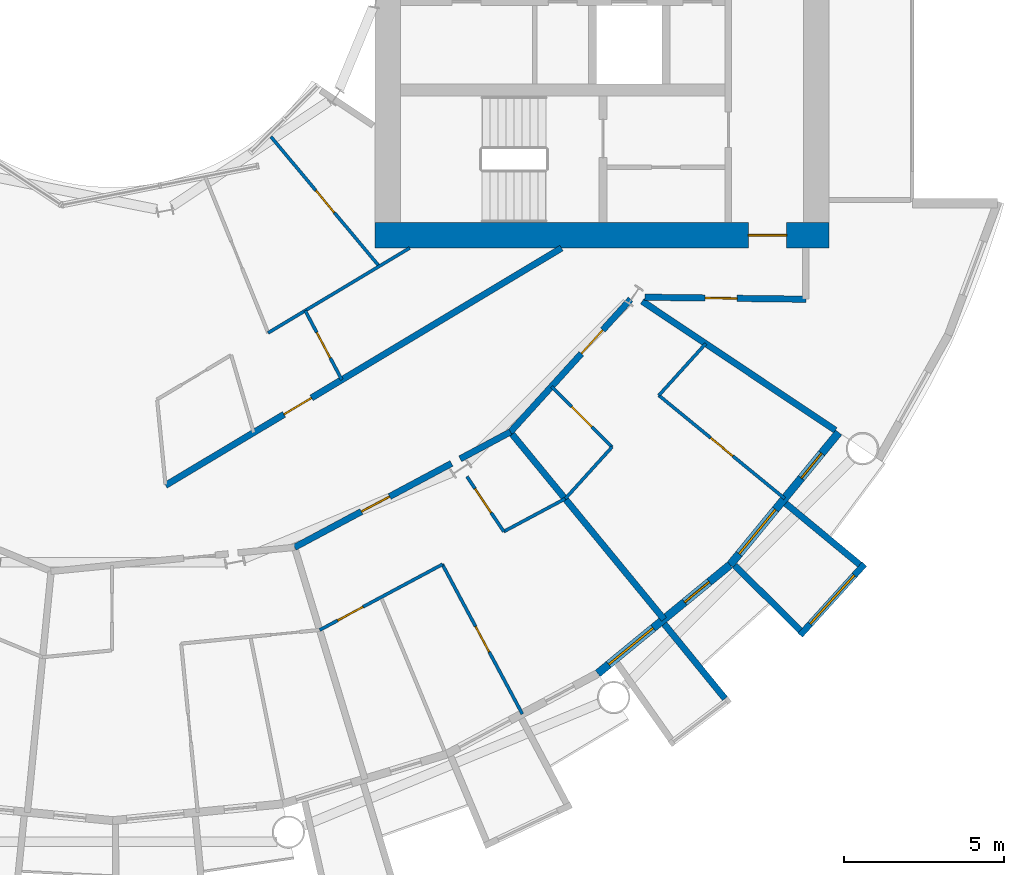
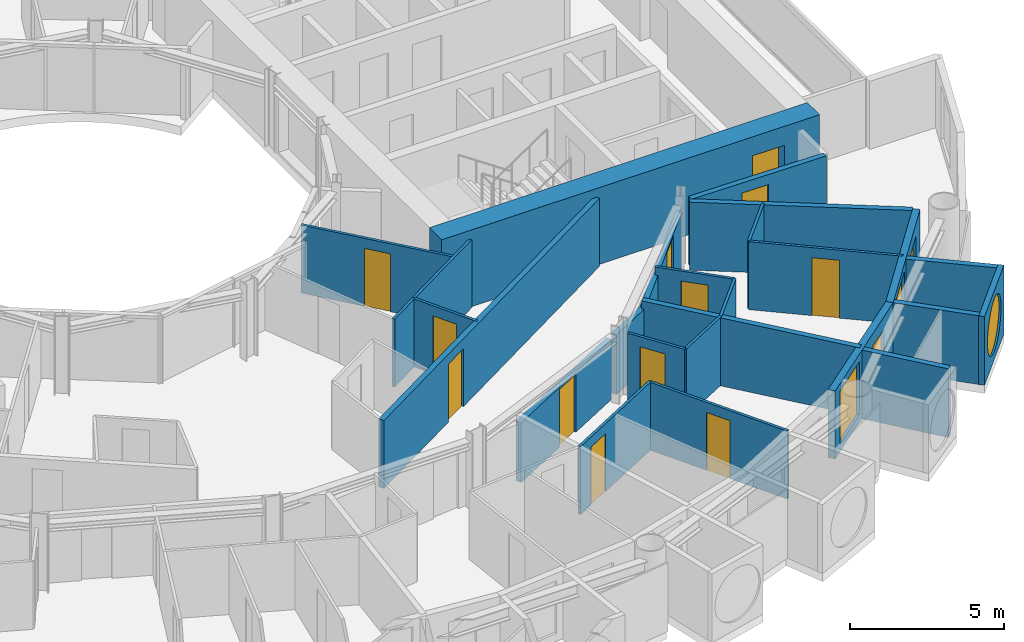
# One storey, part 16 of 26: 25 walls, 14 doors, 3 windows, 17 openings.
"""IFC4 building model written with IfcOpenShell, lengths in metres."""

from ifc_helpers import new_model, si_unit, direction, frame, frame_2d, origin, place, context, subcontext, project, spatial, rectangle, circle, extrude, material, layer, layer_set, type_object, element, fill, save


model = new_model("IFC4")

# Units and contexts
model_context = context("Model", 3, precision=1e-05, world=origin(), true_north=direction((0.0, 1.0)))
body_context = subcontext(model_context, "Body", "Model", "MODEL_VIEW")
ifc_project = project(units=[si_unit("LENGTHUNIT", "METRE"), si_unit("AREAUNIT", "SQUARE_METRE"), si_unit("VOLUMEUNIT", "CUBIC_METRE"), si_unit("PLANEANGLEUNIT", "RADIAN"), si_unit("MASSUNIT", "GRAM", prefix="KILO")], contexts=[model_context])

# Site, building, storey
site_placement = place(None, origin())
site = spatial("IfcSite", under=ifc_project, at=site_placement, CompositionType="ELEMENT")
building_placement = place(site_placement, origin())
building = spatial("IfcBuilding", under=site, at=building_placement, Name="Maasbend Ring Residences", CompositionType="ELEMENT")
storey_placement = place(building_placement, frame((0.0, 0.0, 47.199951171875)))
storey = spatial("IfcBuildingStorey", under=building, at=storey_placement, Name="L13", CompositionType="ELEMENT", Elevation=47.199951171875)

# Wall, opening, door
ifc_material_1 = material(Name="Concrete C70/85", Category="concrete")
ifc_layer_1 = layer(ifc_material_1, 0.800048828125)
ifc_layer_set_1 = layer_set([ifc_layer_1], Name="Concrete C70/85")
wall_type_1 = type_object("IfcWallType", Name="CORE WALL 800 C70/85", PredefinedType="SHEAR", material=ifc_layer_set_1)
wall_1_placement = place(storey_placement, frame((8.199951171875, -9.0, 0.0), z_axis=(0.0, 0.0, 1.0), x_axis=(1.0, 0.0, 0.0)))
wall_1 = element("IfcWall", 1, at=wall_1_placement, inside=storey, type_object=wall_type_1, Name="L13 core E wall PS", PredefinedType="SHEAR", context=body_context, shape_type="SweptSolid", body=[
    extrude(rectangle(XDim=14.199951171875, YDim=0.800048828125, at=frame_2d((7.10009765625, 0.0))), origin(), (0.0, 0.0, 1.0), 3.050048828125),
])
opening_1_placement = place(wall_1_placement, frame((11.675048828125, 0.0, 0.0)))
opening_1 = element("IfcOpeningElement", 2, at=opening_1_placement, cuts=wall_1, Name="Opening D-E1315", PredefinedType="OPENING", context=body_context, shape_type="SweptSolid", body=[
    extrude(rectangle(XDim=1.199951171875, YDim=2.300048828125, at=frame_2d((0.60009765625, 1.14990234375))), frame((0.0, 0.41015625, 0.0), z_axis=(0.0, -1.0, 0.0), x_axis=(1.0, 0.0, 0.0)), (0.0, 0.0, 1.0), 0.820068359375),
])
ifc_material_2 = material(Name="Steel, powder coated", Category="steel")
door_type_1 = type_object("IfcDoorType", Name="CORRIDOR DOOR 1200 X 2300 FD30S", OperationType="NOTDEFINED", PredefinedType="DOOR", material=ifc_material_2)
door_1_placement = place(opening_1_placement, origin())
door_1 = element("IfcDoor", 3, at=door_1_placement, inside=storey, type_object=door_type_1, Name="Corridor door L13", OperationType="SINGLE_SWING_LEFT", OverallHeight=2.300048828125, OverallWidth=1.199951171875, PredefinedType="DOOR", context=body_context, shape_type="SweptSolid", body=[
    extrude(rectangle(XDim=1.199951171875, YDim=2.300048828125, at=frame_2d((0.60009765625, 1.14990234375))), frame((0.0, 0.02490234375, 0.0), z_axis=(0.0, -1.0, 0.0), x_axis=(1.0, 0.0, 0.0)), (0.0, 0.0, 1.0), 0.050048828125),
])
fill(opening_1, door_1)

ifc_material_3 = material(Name="Concrete C30/37", Category="concrete")
ifc_layer_2 = layer(ifc_material_3, 0.199951171875)
ifc_layer_set_2 = layer_set([ifc_layer_2], Name="Concrete C30/37")
wall_type_2 = type_object("IfcWallType", Name="CORRIDOR WALL 200 CONCRETE", PredefinedType="PARTITIONING", material=ifc_layer_set_2)
wall_2_placement = place(storey_placement, frame((12.43408203125, -15.15087890625, 0.0), z_axis=(0.0, 0.0, 1.0), x_axis=(0.671514934772, 0.740991020444, 0.0)))
wall_2 = element("IfcWall", 4, at=wall_2_placement, inside=storey, type_object=wall_type_2, Name="U-L13-w014", PredefinedType="PARTITIONING", context=body_context, shape_type="SweptSolid", body=[
    extrude(rectangle(XDim=5.597900390625, YDim=0.199951171875, at=frame_2d((2.798828125, 0.0))), origin(), (0.0, 0.0, 1.0), 2.380126953125),
])
opening_2_placement = place(wall_2_placement, frame((3.304931640625, 0.0, 0.0)))
opening_2 = element("IfcOpeningElement", 5, at=opening_2_placement, cuts=wall_2, Name="Opening D-1347", PredefinedType="OPENING", context=body_context, shape_type="SweptSolid", body=[
    extrude(rectangle(XDim=1.0, YDim=2.300048828125, at=frame_2d((0.5, 1.14990234375))), frame((0.0, 0.10986328125, 0.0), z_axis=(0.0, -1.0, 0.0), x_axis=(1.0, 0.0, 0.0)), (0.0, 0.0, 1.0), 0.219970703125),
])
ifc_material_4 = material(Name="Timber, fire-rated, painted", Category="wood")
door_type_2 = type_object("IfcDoorType", Name="FLAT ENTRANCE DOOR 1000 X 2300 FIRE-RATED", OperationType="NOTDEFINED", PredefinedType="DOOR", material=ifc_material_4)
door_2_placement = place(opening_2_placement, origin())
door_2 = element("IfcDoor", 6, at=door_2_placement, inside=storey, type_object=door_type_2, Name="D-1347", OperationType="SINGLE_SWING_RIGHT", OverallHeight=2.300048828125, OverallWidth=1.0, PredefinedType="DOOR", context=body_context, shape_type="SweptSolid", body=[
    extrude(rectangle(XDim=1.0, YDim=2.300048828125, at=frame_2d((0.5, 1.14990234375))), frame((0.0, 0.02490234375, 0.0), z_axis=(0.0, -1.0, 0.0), x_axis=(1.0, 0.0, 0.0)), (0.0, 0.0, 1.0), 0.050048828125),
])
fill(opening_2, door_2)

wall_3_placement = place(storey_placement, frame((5.68994140625, -18.756103515625, 0.0), z_axis=(0.0, 0.0, 1.0), x_axis=(0.881866548297, 0.471499089072, 0.0)))
wall_3 = element("IfcWall", 7, at=wall_3_placement, inside=storey, type_object=wall_type_2, Name="U-L13-w017", PredefinedType="PARTITIONING", context=body_context, shape_type="SweptSolid", body=[
    extrude(rectangle(XDim=5.563232421875, YDim=0.199951171875, at=frame_2d((2.78173828125, 0.0))), origin(), (0.0, 0.0, 1.0), 2.380126953125),
])
opening_3_placement = place(wall_3_placement, frame((2.367919921875, 0.0, 0.0)))
opening_3 = element("IfcOpeningElement", 8, at=opening_3_placement, cuts=wall_3, Name="Opening D-1343", PredefinedType="OPENING", context=body_context, shape_type="SweptSolid", body=[
    extrude(rectangle(XDim=1.0, YDim=2.300048828125, at=frame_2d((0.5, 1.14990234375))), frame((0.0, 0.10986328125, 0.0), z_axis=(0.0, -1.0, 0.0), x_axis=(1.0, 0.0, 0.0)), (0.0, 0.0, 1.0), 0.219970703125),
])
door_3_placement = place(opening_3_placement, origin())
door_3 = element("IfcDoor", 9, at=door_3_placement, inside=storey, type_object=door_type_2, Name="D-1343", OperationType="SINGLE_SWING_RIGHT", OverallHeight=2.300048828125, OverallWidth=1.0, PredefinedType="DOOR", context=body_context, shape_type="SweptSolid", body=[
    extrude(rectangle(XDim=1.0, YDim=2.300048828125, at=frame_2d((0.5, 1.14990234375))), frame((0.0, 0.02490234375, 0.0), z_axis=(0.0, -1.0, 0.0), x_axis=(1.0, 0.0, 0.0)), (0.0, 0.0, 1.0), 0.050048828125),
])
fill(opening_3, door_3)

# Wall
wall_4_placement = place(storey_placement, frame((10.866943359375, -15.989013671875, 0.0), z_axis=(0.0, 0.0, 1.0), x_axis=(0.881596178172, 0.472004426496, 0.0)))
element("IfcWall", 10, at=wall_4_placement, inside=storey, type_object=wall_type_2, Name="U-L13-w018", PredefinedType="PARTITIONING", context=body_context, shape_type="SweptSolid", body=[
    extrude(rectangle(XDim=1.77978515625, YDim=0.199951171875, at=frame_2d((0.889892578125, 0.0))), origin(), (0.0, 0.0, 1.0), 2.380126953125),
])

# Wall, opening, door
wall_5_placement = place(storey_placement, frame((1.656005859375, -16.819091796875, 0.0), z_axis=(0.0, 0.0, 1.0), x_axis=(0.857773470126, 0.514027892189, 0.0)))
wall_5 = element("IfcWall", 11, at=wall_5_placement, inside=storey, type_object=wall_type_2, Name="U-L13-w021", PredefinedType="PARTITIONING", context=body_context, shape_type="SweptSolid", body=[
    extrude(rectangle(XDim=14.42919921875, YDim=0.199951171875, at=frame_2d((7.214599609375, 0.0))), origin(), (0.0, 0.0, 1.0), 2.699951171875),
])
opening_4_placement = place(wall_5_placement, frame((4.318115234375, 0.0, 0.0)))
opening_4 = element("IfcOpeningElement", 12, at=opening_4_placement, cuts=wall_5, Name="Opening D-1354", PredefinedType="OPENING", context=body_context, shape_type="SweptSolid", body=[
    extrude(rectangle(XDim=1.0, YDim=2.300048828125, at=frame_2d((0.5, 1.14990234375))), frame((0.0, 0.10986328125, 0.0), z_axis=(0.0, -1.0, 0.0), x_axis=(1.0, 0.0, 0.0)), (0.0, 0.0, 1.0), 0.219970703125),
])
door_4_placement = place(opening_4_placement, origin())
door_4 = element("IfcDoor", 13, at=door_4_placement, inside=storey, type_object=door_type_2, Name="D-1354", OperationType="SINGLE_SWING_LEFT", OverallHeight=2.300048828125, OverallWidth=1.0, PredefinedType="DOOR", context=body_context, shape_type="SweptSolid", body=[
    extrude(rectangle(XDim=1.0, YDim=2.300048828125, at=frame_2d((0.5, 1.14990234375))), frame((0.0, 0.02490234375, 0.0), z_axis=(0.0, -1.0, 0.0), x_axis=(1.0, 0.0, 0.0)), (0.0, 0.0, 1.0), 0.050048828125),
])
fill(opening_4, door_4)

wall_6_placement = place(storey_placement, frame((16.636962890625, -10.93798828125, 0.0), z_axis=(0.0, 0.0, 1.0), x_axis=(0.99992425795, -0.012307654658, 0.0)))
wall_6 = element("IfcWall", 14, at=wall_6_placement, inside=storey, type_object=wall_type_2, Name="U-L13-w027", PredefinedType="PARTITIONING", context=body_context, shape_type="SweptSolid", body=[
    extrude(rectangle(XDim=5.03857421875, YDim=0.199951171875, at=frame_2d((2.519287109375, 0.0))), origin(), (0.0, 0.0, 1.0), 2.699951171875),
])
opening_5_placement = place(wall_6_placement, frame((1.884033203125, 0.0, 0.0)))
opening_5 = element("IfcOpeningElement", 15, at=opening_5_placement, cuts=wall_6, Name="Opening D-1361", PredefinedType="OPENING", context=body_context, shape_type="SweptSolid", body=[
    extrude(rectangle(XDim=1.0, YDim=2.300048828125, at=frame_2d((0.5, 1.14990234375))), frame((0.0, 0.10986328125, 0.0), z_axis=(0.0, -1.0, 0.0), x_axis=(1.0, 0.0, 0.0)), (0.0, 0.0, 1.0), 0.219970703125),
])
ifc_material_5 = material(Name="Timber, painted", Category="wood")
door_type_3 = type_object("IfcDoorType", Name="ROOM DOOR 1000 X 2300", OperationType="NOTDEFINED", PredefinedType="DOOR", material=ifc_material_5)
door_5_placement = place(opening_5_placement, origin())
door_5 = element("IfcDoor", 16, at=door_5_placement, inside=storey, type_object=door_type_3, Name="D-1361", OperationType="SINGLE_SWING_LEFT", OverallHeight=2.300048828125, OverallWidth=1.0, PredefinedType="DOOR", context=body_context, shape_type="SweptSolid", body=[
    extrude(rectangle(XDim=1.0, YDim=2.300048828125, at=frame_2d((0.5, 1.14990234375))), frame((0.0, 0.02490234375, 0.0), z_axis=(0.0, -1.0, 0.0), x_axis=(1.0, 0.0, 0.0)), (0.0, 0.0, 1.0), 0.050048828125),
])
fill(opening_5, door_5)

# Wall
ifc_material_6 = material(Name="Pale anodised aluminium panel", Category="aluminium")
ifc_layer_3 = layer(ifc_material_6, 0.199951171875)
ifc_layer_set_3 = layer_set([ifc_layer_3], Name="EW-BOX")
wall_type_3 = type_object("IfcWallType", Name="EW-BOX", PredefinedType="SOLIDWALL", material=ifc_layer_set_3)
wall_7_placement = place(storey_placement, frame((17.24609375, -21.155029296875, -0.030029296875), z_axis=(0.0, 0.0, 1.0), x_axis=(0.631741648902, -0.775179004516, 0.0)))
element("IfcWall", 17, at=wall_7_placement, inside=storey, type_object=wall_type_3, Name="Box side wall S17 right", PredefinedType="SOLIDWALL", context=body_context, shape_type="SweptSolid", body=[
    extrude(rectangle(XDim=3.005859375, YDim=0.199951171875, at=frame_2d((1.5029296875, 0.0))), origin(), (0.0, 0.0, 1.0), 2.72998046875),
])

# Wall, opening, window
wall_8_placement = place(storey_placement, frame((21.492919921875, -21.5, -0.030029296875), z_axis=(0.0, 0.0, 1.0), x_axis=(0.671506829416, 0.740998365753, 0.0)))
wall_8 = element("IfcWall", 18, at=wall_8_placement, inside=storey, type_object=wall_type_3, Name="Box front S19", PredefinedType="SOLIDWALL", context=body_context, shape_type="SweptSolid", body=[
    extrude(rectangle(XDim=2.9931640625, YDim=0.199951171875, at=frame_2d((1.49658203125, 0.0))), origin(), (0.0, 0.0, 1.0), 2.72998046875),
])
opening_6_placement = place(wall_8_placement, frame((0.45654296875, 0.0, 0.330078125)))
opening_6 = element("IfcOpeningElement", 19, at=opening_6_placement, cuts=wall_8, Name="Opening W-RD", PredefinedType="OPENING", context=body_context, shape_type="SweptSolid", body=[
    extrude(circle(Radius=1.0400390625, at=frame_2d((1.0400390625, 1.0400390625))), frame((0.0, 0.10986328125, 0.0), z_axis=(0.0, -1.0, 0.0), x_axis=(1.0, 0.0, 0.0)), (0.0, 0.0, 1.0), 0.219970703125),
])
ifc_material_7 = material(Name="Aluminium and clear glass", Category="aluminium")
window_type_1 = type_object("IfcWindowType", Name="W-RD", PartitioningType="SINGLE_PANEL", PredefinedType="WINDOW", material=ifc_material_7)
window_1_placement = place(opening_6_placement, origin())
window_1 = element("IfcWindow", 20, at=window_1_placement, inside=storey, type_object=window_type_1, Name="Round window S19", OverallHeight=2.080078125, OverallWidth=2.080078125, PartitioningType="SINGLE_PANEL", PredefinedType="WINDOW", context=body_context, shape_type="SweptSolid", body=[
    extrude(circle(Radius=1.0400390625, at=frame_2d((1.0400390625, 1.0400390625))), frame((0.0, 0.030029296875, 0.0), z_axis=(0.0, -1.0, 0.0), x_axis=(1.0, 0.0, 0.0)), (0.0, 0.0, 1.0), 0.06005859375),
])
fill(opening_6, window_1)

# Walls
wall_9_placement = place(storey_placement, frame((19.449951171875, -19.322998046875, -0.030029296875), z_axis=(0.0, 0.0, 1.0), x_axis=(0.709727076896, -0.704476739375, 0.0)))
element("IfcWall", 21, at=wall_9_placement, inside=storey, type_object=wall_type_3, Name="Box side wall S19 left", PredefinedType="SOLIDWALL", context=body_context, shape_type="SweptSolid", body=[
    extrude(rectangle(XDim=2.883056640625, YDim=0.199951171875, at=frame_2d((1.44140625, 0.0))), origin(), (0.0, 0.0, 1.0), 2.72998046875),
])
wall_10_placement = place(storey_placement, frame((21.041015625, -17.384033203125, -0.030029296875), z_axis=(0.0, 0.0, 1.0), x_axis=(0.770784861449, -0.63709551667, 0.0)))
element("IfcWall", 22, at=wall_10_placement, inside=storey, type_object=wall_type_3, Name="Box side wall S19 right", PredefinedType="SOLIDWALL", context=body_context, shape_type="SweptSolid", body=[
    extrude(rectangle(XDim=3.005859375, YDim=0.199951171875, at=frame_2d((1.5029296875, 0.0))), origin(), (0.0, 0.0, 1.0), 2.72998046875),
])

# Wall, openings, door, window
ifc_material_8 = material(Name="Aluminium clad insulated panel", Category="aluminium")
ifc_layer_4 = layer(ifc_material_8, 0.25)
ifc_layer_set_4 = layer_set([ifc_layer_4], Name="EW-GL")
wall_type_4 = type_object("IfcWallType", Name="EW-GL", PredefinedType="SOLIDWALL", material=ifc_layer_set_4)
wall_11_placement = place(storey_placement, frame((15.1669921875, -22.698974609375, 0.0), z_axis=(0.0, 0.0, 1.0), x_axis=(0.773019449054, 0.634382322723, 0.0)))
wall_11 = element("IfcWall", 23, at=wall_11_placement, inside=storey, type_object=wall_type_4, Name="External wall S09", PredefinedType="SOLIDWALL", context=body_context, shape_type="SweptSolid", body=[
    extrude(rectangle(XDim=5.351806640625, YDim=0.25, at=frame_2d((2.67578125, 0.0))), origin(), (0.0, 0.0, 1.0), 2.699951171875),
])
opening_7_placement = place(wall_11_placement, frame((0.441162109375, 0.0, 0.300048828125)))
opening_7 = element("IfcOpeningElement", 24, at=opening_7_placement, cuts=wall_11, Name="Opening W-BX", PredefinedType="OPENING", context=body_context, shape_type="SweptSolid", body=[
    extrude(rectangle(XDim=1.800048828125, YDim=2.10009765625, at=frame_2d((0.89990234375, 1.050048828125))), frame((0.0, 0.135009765625, 0.0), z_axis=(0.0, -1.0, 0.0), x_axis=(1.0, 0.0, 0.0)), (0.0, 0.0, 1.0), 0.27001953125),
])
opening_8_placement = place(wall_11_placement, frame((3.510498046875, 0.0, 0.0)))
opening_8 = element("IfcOpeningElement", 25, at=opening_8_placement, cuts=wall_11, Name="Opening D-LG", PredefinedType="OPENING", context=body_context, shape_type="SweptSolid", body=[
    extrude(rectangle(XDim=1.0, YDim=2.199951171875, at=frame_2d((0.5, 1.10009765625))), frame((0.0, 0.135009765625, 0.0), z_axis=(0.0, -1.0, 0.0), x_axis=(1.0, 0.0, 0.0)), (0.0, 0.0, 1.0), 0.27001953125),
])
ifc_material_9 = material(Name="Aluminium and clear glass", Category="aluminium")
door_type_4 = type_object("IfcDoorType", Name="D-LG", OperationType="SINGLE_SWING_LEFT", PredefinedType="DOOR", material=ifc_material_9)
door_6_placement = place(opening_8_placement, origin())
door_6 = element("IfcDoor", 26, at=door_6_placement, inside=storey, type_object=door_type_4, Name="Loggia door S18", OperationType="SINGLE_SWING_LEFT", OverallHeight=2.199951171875, OverallWidth=1.0, PredefinedType="DOOR", context=body_context, shape_type="SweptSolid", body=[
    extrude(rectangle(XDim=1.0, YDim=2.199951171875, at=frame_2d((0.5, 1.10009765625))), frame((0.0, 0.02490234375, 0.0), z_axis=(0.0, -1.0, 0.0), x_axis=(1.0, 0.0, 0.0)), (0.0, 0.0, 1.0), 0.050048828125),
])
fill(opening_8, door_6)
ifc_material_10 = material(Name="Aluminium and clear glass", Category="aluminium")
window_type_2 = type_object("IfcWindowType", Name="W-BX", PartitioningType="DOUBLE_PANEL_VERTICAL", PredefinedType="WINDOW", material=ifc_material_10)
window_2_placement = place(opening_7_placement, origin())
window_2 = element("IfcWindow", 27, at=window_2_placement, inside=storey, type_object=window_type_2, Name="Window S17 room to box", OverallHeight=2.10009765625, OverallWidth=1.800048828125, PartitioningType="SINGLE_PANEL", PredefinedType="WINDOW", context=body_context, shape_type="SweptSolid", body=[
    extrude(rectangle(XDim=1.800048828125, YDim=2.10009765625, at=frame_2d((0.89990234375, 1.050048828125))), frame((0.0, 0.030029296875, 0.0), z_axis=(0.0, -1.0, 0.0), x_axis=(1.0, 0.0, 0.0)), (0.0, 0.0, 1.0), 0.06005859375),
])
fill(opening_7, window_2)

wall_12_placement = place(storey_placement, frame((19.303955078125, -19.303955078125, 0.0), z_axis=(0.0, 0.0, 1.0), x_axis=(0.634382322723, 0.773019449054, 0.0)))
wall_12 = element("IfcWall", 28, at=wall_12_placement, inside=storey, type_object=wall_type_4, Name="External wall S10", PredefinedType="SOLIDWALL", context=body_context, shape_type="SweptSolid", body=[
    extrude(rectangle(XDim=5.351806640625, YDim=0.25, at=frame_2d((2.67578125, 0.0))), origin(), (0.0, 0.0, 1.0), 2.699951171875),
])
opening_9_placement = place(wall_12_placement, frame((0.441162109375, 0.0, 0.300048828125)))
opening_9 = element("IfcOpeningElement", 29, at=opening_9_placement, cuts=wall_12, Name="Opening W-BX", PredefinedType="OPENING", context=body_context, shape_type="SweptSolid", body=[
    extrude(rectangle(XDim=1.800048828125, YDim=2.10009765625, at=frame_2d((0.89990234375, 1.050048828125))), frame((0.0, 0.135009765625, 0.0), z_axis=(0.0, -1.0, 0.0), x_axis=(1.0, 0.0, 0.0)), (0.0, 0.0, 1.0), 0.27001953125),
])
opening_10_placement = place(wall_12_placement, frame((3.510498046875, 0.0, 0.0)))
opening_10 = element("IfcOpeningElement", 30, at=opening_10_placement, cuts=wall_12, Name="Opening D-LG", PredefinedType="OPENING", context=body_context, shape_type="SweptSolid", body=[
    extrude(rectangle(XDim=1.0, YDim=2.199951171875, at=frame_2d((0.5, 1.10009765625))), frame((0.0, 0.135009765625, 0.0), z_axis=(0.0, -1.0, 0.0), x_axis=(1.0, 0.0, 0.0)), (0.0, 0.0, 1.0), 0.27001953125),
])
door_7_placement = place(opening_10_placement, origin())
door_7 = element("IfcDoor", 31, at=door_7_placement, inside=storey, type_object=door_type_4, Name="Loggia door S20", OperationType="SINGLE_SWING_LEFT", OverallHeight=2.199951171875, OverallWidth=1.0, PredefinedType="DOOR", context=body_context, shape_type="SweptSolid", body=[
    extrude(rectangle(XDim=1.0, YDim=2.199951171875, at=frame_2d((0.5, 1.10009765625))), frame((0.0, 0.02490234375, 0.0), z_axis=(0.0, -1.0, 0.0), x_axis=(1.0, 0.0, 0.0)), (0.0, 0.0, 1.0), 0.050048828125),
])
fill(opening_10, door_7)
window_3_placement = place(opening_9_placement, origin())
window_3 = element("IfcWindow", 32, at=window_3_placement, inside=storey, type_object=window_type_2, Name="Window S19 room to box", OverallHeight=2.10009765625, OverallWidth=1.800048828125, PartitioningType="SINGLE_PANEL", PredefinedType="WINDOW", context=body_context, shape_type="SweptSolid", body=[
    extrude(rectangle(XDim=1.800048828125, YDim=2.10009765625, at=frame_2d((0.89990234375, 1.050048828125))), frame((0.0, 0.030029296875, 0.0), z_axis=(0.0, -1.0, 0.0), x_axis=(1.0, 0.0, 0.0)), (0.0, 0.0, 1.0), 0.06005859375),
])
fill(opening_9, window_3)

# Walls
ifc_material_11 = material(Name="Gypsum board on steel studs", Category="steel")
ifc_layer_5 = layer(ifc_material_11, 0.10009765625)
ifc_layer_set_5 = layer_set([ifc_layer_5], Name="PARTITION 100 GYPSUM")
wall_type_5 = type_object("IfcWallType", Name="PARTITION 100 GYPSUM", PredefinedType="PARTITIONING", material=ifc_layer_set_5)
wall_13_placement = place(storey_placement, frame((14.153076171875, -17.23388671875, 0.0), z_axis=(0.0, 0.0, 1.0), x_axis=(0.671144831591, 0.741326254107, 0.0)))
element("IfcWall", 33, at=wall_13_placement, inside=storey, type_object=wall_type_5, Name="U-L13-w003", PredefinedType="PARTITIONING", context=body_context, shape_type="SweptSolid", body=[
    extrude(rectangle(XDim=2.18115234375, YDim=0.10009765625, at=frame_2d((1.090576171875, 0.0))), origin(), (0.0, 0.0, 1.0), 2.699951171875),
])
wall_14_placement = place(storey_placement, frame((17.076904296875, -14.006103515625, 0.0), z_axis=(0.0, 0.0, 1.0), x_axis=(0.671396556615, 0.741098282123, 0.0)))
element("IfcWall", 34, at=wall_14_placement, inside=storey, type_object=wall_type_5, Name="U-L13-w004", PredefinedType="PARTITIONING", context=body_context, shape_type="SweptSolid", body=[
    extrude(rectangle(XDim=2.18212890625, YDim=0.10009765625, at=frame_2d((1.091064453125, 0.0))), origin(), (0.0, 0.0, 1.0), 2.699951171875),
])

# Wall, opening, door
wall_15_placement = place(storey_placement, frame((6.47802734375, -21.340087890625, 0.0), z_axis=(0.0, 0.0, 1.0), x_axis=(0.881765663848, 0.471687729392, 0.0)))
wall_15 = element("IfcWall", 35, at=wall_15_placement, inside=storey, type_object=wall_type_5, Name="U-L13-w007", PredefinedType="PARTITIONING", context=body_context, shape_type="SweptSolid", body=[
    extrude(rectangle(XDim=4.35498046875, YDim=0.10009765625, at=frame_2d((2.177490234375, 0.0))), origin(), (0.0, 0.0, 1.0), 2.699951171875),
])
opening_11_placement = place(wall_15_placement, frame((0.633056640625, 0.0, 0.0)))
opening_11 = element("IfcOpeningElement", 36, at=opening_11_placement, cuts=wall_15, Name="Opening D-1346", PredefinedType="OPENING", context=body_context, shape_type="SweptSolid", body=[
    extrude(rectangle(XDim=0.89990234375, YDim=2.300048828125, at=frame_2d((0.449951171875, 1.14990234375))), frame((0.0, 0.06005859375, 0.0), z_axis=(0.0, -1.0, 0.0), x_axis=(1.0, 0.0, 0.0)), (0.0, 0.0, 1.0), 0.1201171875),
])
ifc_material_12 = material(Name="Timber, painted", Category="wood")
door_type_5 = type_object("IfcDoorType", Name="INTERNAL DOOR 900 X 2300", OperationType="NOTDEFINED", PredefinedType="DOOR", material=ifc_material_12)
door_8_placement = place(opening_11_placement, origin())
door_8 = element("IfcDoor", 37, at=door_8_placement, inside=storey, type_object=door_type_5, Name="D-1346", OperationType="SINGLE_SWING_LEFT", OverallHeight=2.300048828125, OverallWidth=0.89990234375, PredefinedType="DOOR", context=body_context, shape_type="SweptSolid", body=[
    extrude(rectangle(XDim=0.89990234375, YDim=2.300048828125, at=frame_2d((0.449951171875, 1.14990234375))), frame((0.0, 0.02490234375, 0.0), z_axis=(0.0, -1.0, 0.0), x_axis=(1.0, 0.0, 0.0)), (0.0, 0.0, 1.0), 0.050048828125),
])
fill(opening_11, door_8)

# Walls
wall_16_placement = place(storey_placement, frame((12.22900390625, -18.263916015625, 0.0), z_axis=(0.0, 0.0, 1.0), x_axis=(0.881786813167, 0.471648191055, 0.0)))
element("IfcWall", 38, at=wall_16_placement, inside=storey, type_object=wall_type_5, Name="U-L13-w008", PredefinedType="PARTITIONING", context=body_context, shape_type="SweptSolid", body=[
    extrude(rectangle(XDim=2.175048828125, YDim=0.10009765625, at=frame_2d((1.08740234375, 0.0))), origin(), (0.0, 0.0, 1.0), 2.699951171875),
])
wall_17_placement = place(storey_placement, frame((4.860107421875, -12.052978515625, 0.0), z_axis=(0.0, 0.0, 1.0), x_axis=(0.857697418837, 0.514154779926, 0.0)))
element("IfcWall", 39, at=wall_17_placement, inside=storey, type_object=wall_type_5, Name="U-L13-w025", PredefinedType="PARTITIONING", context=body_context, shape_type="SweptSolid", body=[
    extrude(rectangle(XDim=5.16015625, YDim=0.10009765625, at=frame_2d((2.580078125, 0.0))), origin(), (0.0, 0.0, 1.0), 2.699951171875),
])

# Wall, opening, door
wall_18_placement = place(storey_placement, frame((4.951904296875, -5.923095703125, 0.0), z_axis=(0.0, 0.0, 1.0), x_axis=(0.641376424834, -0.767226356213, 0.0)))
wall_18 = element("IfcWall", 40, at=wall_18_placement, inside=storey, type_object=wall_type_5, Name="U-L13-w063", PredefinedType="PARTITIONING", context=body_context, shape_type="SweptSolid", body=[
    extrude(rectangle(XDim=5.274658203125, YDim=0.10009765625, at=frame_2d((2.63720703125, 0.0))), origin(), (0.0, 0.0, 1.0), 2.699951171875),
])
opening_12_placement = place(wall_18_placement, frame((2.18701171875, 0.0, 0.0)))
opening_12 = element("IfcOpeningElement", 41, at=opening_12_placement, cuts=wall_18, Name="Opening D-1358", PredefinedType="OPENING", context=body_context, shape_type="SweptSolid", body=[
    extrude(rectangle(XDim=0.89990234375, YDim=2.300048828125, at=frame_2d((0.449951171875, 1.14990234375))), frame((0.0, 0.06005859375, 0.0), z_axis=(0.0, -1.0, 0.0), x_axis=(1.0, 0.0, 0.0)), (0.0, 0.0, 1.0), 0.1201171875),
])
door_9_placement = place(opening_12_placement, origin())
door_9 = element("IfcDoor", 42, at=door_9_placement, inside=storey, type_object=door_type_5, Name="D-1358", OperationType="SINGLE_SWING_RIGHT", OverallHeight=2.300048828125, OverallWidth=0.89990234375, PredefinedType="DOOR", context=body_context, shape_type="SweptSolid", body=[
    extrude(rectangle(XDim=0.89990234375, YDim=2.300048828125, at=frame_2d((0.449951171875, 1.14990234375))), frame((0.0, 0.02490234375, 0.0), z_axis=(0.0, -1.0, 0.0), x_axis=(1.0, 0.0, 0.0)), (0.0, 0.0, 1.0), 0.050048828125),
])
fill(opening_12, door_9)

wall_19_placement = place(storey_placement, frame((6.02099609375, -11.35693359375, 0.0), z_axis=(0.0, 0.0, 1.0), x_axis=(0.468337293896, -0.883549760425, 0.0)))
wall_19 = element("IfcWall", 43, at=wall_19_placement, inside=storey, type_object=wall_type_5, Name="U-L13-w066", PredefinedType="PARTITIONING", context=body_context, shape_type="SweptSolid", body=[
    extrude(rectangle(XDim=2.44482421875, YDim=0.10009765625, at=frame_2d((1.222412109375, 0.0))), origin(), (0.0, 0.0, 1.0), 2.699951171875),
])
opening_13_placement = place(wall_19_placement, frame((0.77197265625, 0.0, 0.0)))
opening_13 = element("IfcOpeningElement", 44, at=opening_13_placement, cuts=wall_19, Name="Opening D-1356", PredefinedType="OPENING", context=body_context, shape_type="SweptSolid", body=[
    extrude(rectangle(XDim=0.89990234375, YDim=2.300048828125, at=frame_2d((0.449951171875, 1.14990234375))), frame((0.0, 0.06005859375, 0.0), z_axis=(0.0, -1.0, 0.0), x_axis=(1.0, 0.0, 0.0)), (0.0, 0.0, 1.0), 0.1201171875),
])
door_10_placement = place(opening_13_placement, origin())
door_10 = element("IfcDoor", 45, at=door_10_placement, inside=storey, type_object=door_type_5, Name="D-1356", OperationType="SINGLE_SWING_RIGHT", OverallHeight=2.300048828125, OverallWidth=0.89990234375, PredefinedType="DOOR", context=body_context, shape_type="SweptSolid", body=[
    extrude(rectangle(XDim=0.89990234375, YDim=2.300048828125, at=frame_2d((0.449951171875, 1.14990234375))), frame((0.0, 0.02490234375, 0.0), z_axis=(0.0, -1.0, 0.0), x_axis=(1.0, 0.0, 0.0)), (0.0, 0.0, 1.0), 0.050048828125),
])
fill(opening_13, door_10)

wall_20_placement = place(storey_placement, frame((10.31005859375, -19.2890625, 0.0), z_axis=(0.0, 0.0, 1.0), x_axis=(0.47140999111, -0.881914179658, 0.0)))
wall_20 = element("IfcWall", 46, at=wall_20_placement, inside=storey, type_object=wall_type_5, Name="U-L13-w072", PredefinedType="PARTITIONING", context=body_context, shape_type="SweptSolid", body=[
    extrude(rectangle(XDim=5.30322265625, YDim=0.10009765625, at=frame_2d((2.651611328125, 0.0))), origin(), (0.0, 0.0, 1.0), 2.699951171875),
])
opening_14_placement = place(wall_20_placement, frame((2.201904296875, 0.0, 0.0)))
opening_14 = element("IfcOpeningElement", 47, at=opening_14_placement, cuts=wall_20, Name="Opening D-1345", PredefinedType="OPENING", context=body_context, shape_type="SweptSolid", body=[
    extrude(rectangle(XDim=0.89990234375, YDim=2.300048828125, at=frame_2d((0.449951171875, 1.14990234375))), frame((0.0, 0.06005859375, 0.0), z_axis=(0.0, -1.0, 0.0), x_axis=(1.0, 0.0, 0.0)), (0.0, 0.0, 1.0), 0.1201171875),
])
door_11_placement = place(opening_14_placement, origin())
door_11 = element("IfcDoor", 48, at=door_11_placement, inside=storey, type_object=door_type_5, Name="D-1345", OperationType="SINGLE_SWING_RIGHT", OverallHeight=2.300048828125, OverallWidth=0.89990234375, PredefinedType="DOOR", context=body_context, shape_type="SweptSolid", body=[
    extrude(rectangle(XDim=0.89990234375, YDim=2.300048828125, at=frame_2d((0.449951171875, 1.14990234375))), frame((0.0, 0.02490234375, 0.0), z_axis=(0.0, -1.0, 0.0), x_axis=(1.0, 0.0, 0.0)), (0.0, 0.0, 1.0), 0.050048828125),
])
fill(opening_14, door_11)

wall_21_placement = place(storey_placement, frame((11.076904296875, -16.5439453125, 0.0), z_axis=(0.0, 0.0, 1.0), x_axis=(0.556522278225, -0.830832687031, 0.0)))
wall_21 = element("IfcWall", 49, at=wall_21_placement, inside=storey, type_object=wall_type_5, Name="U-L13-w073", PredefinedType="PARTITIONING", context=body_context, shape_type="SweptSolid", body=[
    extrude(rectangle(XDim=2.070068359375, YDim=0.10009765625, at=frame_2d((1.03515625, 0.0))), origin(), (0.0, 0.0, 1.0), 2.699951171875),
])
opening_15_placement = place(wall_21_placement, frame((0.4580078125, 0.0, 0.0)))
opening_15 = element("IfcOpeningElement", 50, at=opening_15_placement, cuts=wall_21, Name="Opening D-1344", PredefinedType="OPENING", context=body_context, shape_type="SweptSolid", body=[
    extrude(rectangle(XDim=0.89990234375, YDim=2.300048828125, at=frame_2d((0.449951171875, 1.14990234375))), frame((0.0, 0.06005859375, 0.0), z_axis=(0.0, -1.0, 0.0), x_axis=(1.0, 0.0, 0.0)), (0.0, 0.0, 1.0), 0.1201171875),
])
door_12_placement = place(opening_15_placement, origin())
door_12 = element("IfcDoor", 51, at=door_12_placement, inside=storey, type_object=door_type_5, Name="D-1344", OperationType="SINGLE_SWING_LEFT", OverallHeight=2.300048828125, OverallWidth=0.89990234375, PredefinedType="DOOR", context=body_context, shape_type="SweptSolid", body=[
    extrude(rectangle(XDim=0.89990234375, YDim=2.300048828125, at=frame_2d((0.449951171875, 1.14990234375))), frame((0.0, 0.02490234375, 0.0), z_axis=(0.0, -1.0, 0.0), x_axis=(1.0, 0.0, 0.0)), (0.0, 0.0, 1.0), 0.050048828125),
])
fill(opening_15, door_12)

wall_22_placement = place(storey_placement, frame((13.721923828125, -13.72998046875, 0.0), z_axis=(0.0, 0.0, 1.0), x_axis=(0.706741540154, -0.707471833659, 0.0)))
wall_22 = element("IfcWall", 52, at=wall_22_placement, inside=storey, type_object=wall_type_5, Name="U-L13-w077", PredefinedType="PARTITIONING", context=body_context, shape_type="SweptSolid", body=[
    extrude(rectangle(XDim=2.67431640625, YDim=0.10009765625, at=frame_2d((1.337158203125, 0.0))), origin(), (0.0, 0.0, 1.0), 2.699951171875),
])
opening_16_placement = place(wall_22_placement, frame((0.886962890625, 0.0, 0.0)))
opening_16 = element("IfcOpeningElement", 53, at=opening_16_placement, cuts=wall_22, Name="Opening D-1348", PredefinedType="OPENING", context=body_context, shape_type="SweptSolid", body=[
    extrude(rectangle(XDim=0.89990234375, YDim=2.300048828125, at=frame_2d((0.449951171875, 1.14990234375))), frame((0.0, 0.06005859375, 0.0), z_axis=(0.0, -1.0, 0.0), x_axis=(1.0, 0.0, 0.0)), (0.0, 0.0, 1.0), 0.1201171875),
])
door_13_placement = place(opening_16_placement, origin())
door_13 = element("IfcDoor", 54, at=door_13_placement, inside=storey, type_object=door_type_5, Name="D-1348", OperationType="SINGLE_SWING_RIGHT", OverallHeight=2.300048828125, OverallWidth=0.89990234375, PredefinedType="DOOR", context=body_context, shape_type="SweptSolid", body=[
    extrude(rectangle(XDim=0.89990234375, YDim=2.300048828125, at=frame_2d((0.449951171875, 1.14990234375))), frame((0.0, 0.02490234375, 0.0), z_axis=(0.0, -1.0, 0.0), x_axis=(1.0, 0.0, 0.0)), (0.0, 0.0, 1.0), 0.050048828125),
])
fill(opening_16, door_13)

wall_23_placement = place(storey_placement, frame((17.076904296875, -14.006103515625, 0.0), z_axis=(0.0, 0.0, 1.0), x_axis=(0.77326214499, -0.634086472908, 0.0)))
wall_23 = element("IfcWall", 55, at=wall_23_placement, inside=storey, type_object=wall_type_5, Name="U-L13-w081", PredefinedType="PARTITIONING", context=body_context, shape_type="SweptSolid", body=[
    extrude(rectangle(XDim=5.0888671875, YDim=0.10009765625, at=frame_2d((2.54443359375, 0.0))), origin(), (0.0, 0.0, 1.0), 2.699951171875),
])
opening_17_placement = place(wall_23_placement, frame((2.093994140625, 0.0, 0.0)))
opening_17 = element("IfcOpeningElement", 56, at=opening_17_placement, cuts=wall_23, Name="Opening D-1349", PredefinedType="OPENING", context=body_context, shape_type="SweptSolid", body=[
    extrude(rectangle(XDim=0.89990234375, YDim=2.300048828125, at=frame_2d((0.449951171875, 1.14990234375))), frame((0.0, 0.06005859375, 0.0), z_axis=(0.0, -1.0, 0.0), x_axis=(1.0, 0.0, 0.0)), (0.0, 0.0, 1.0), 0.1201171875),
])
door_14_placement = place(opening_17_placement, origin())
door_14 = element("IfcDoor", 57, at=door_14_placement, inside=storey, type_object=door_type_5, Name="D-1349", OperationType="SINGLE_SWING_LEFT", OverallHeight=2.300048828125, OverallWidth=0.89990234375, PredefinedType="DOOR", context=body_context, shape_type="SweptSolid", body=[
    extrude(rectangle(XDim=0.89990234375, YDim=2.300048828125, at=frame_2d((0.449951171875, 1.14990234375))), frame((0.0, 0.02490234375, 0.0), z_axis=(0.0, -1.0, 0.0), x_axis=(1.0, 0.0, 0.0)), (0.0, 0.0, 1.0), 0.050048828125),
])
fill(opening_17, door_14)

# Walls
ifc_material_13 = material(Name="Concrete C30/37", Category="concrete")
ifc_layer_6 = layer(ifc_material_13, 0.199951171875)
ifc_layer_set_6 = layer_set([ifc_layer_6], Name="Concrete C30/37")
wall_type_6 = type_object("IfcWallType", Name="PARTY WALL 200 CONCRETE", PredefinedType="PARTITIONING", material=ifc_layer_set_6)
wall_24_placement = place(storey_placement, frame((12.43408203125, -15.15087890625, 0.0), z_axis=(0.0, 0.0, 1.0), x_axis=(0.634381303318, -0.773020285633, 0.0)))
element("IfcWall", 58, at=wall_24_placement, inside=storey, type_object=wall_type_6, Name="U-L13-w076", PredefinedType="PARTITIONING", context=body_context, shape_type="SweptSolid", body=[
    extrude(rectangle(XDim=7.57568359375, YDim=0.199951171875, at=frame_2d((3.787841796875, 0.0))), origin(), (0.0, 0.0, 1.0), 2.699951171875),
])
wall_25_placement = place(storey_placement, frame((16.554931640625, -11.06103515625, 0.0), z_axis=(0.0, 0.0, 1.0), x_axis=(0.831465568067, -0.555576285599, 0.0)))
element("IfcWall", 59, at=wall_25_placement, inside=storey, type_object=wall_type_6, Name="U-L13-w079", PredefinedType="PARTITIONING", context=body_context, shape_type="SweptSolid", body=[
    extrude(rectangle(XDim=7.264404296875, YDim=0.199951171875, at=frame_2d((3.63232421875, 0.0))), origin(), (0.0, 0.0, 1.0), 2.699951171875),
])

save(model, "model.ifc")
